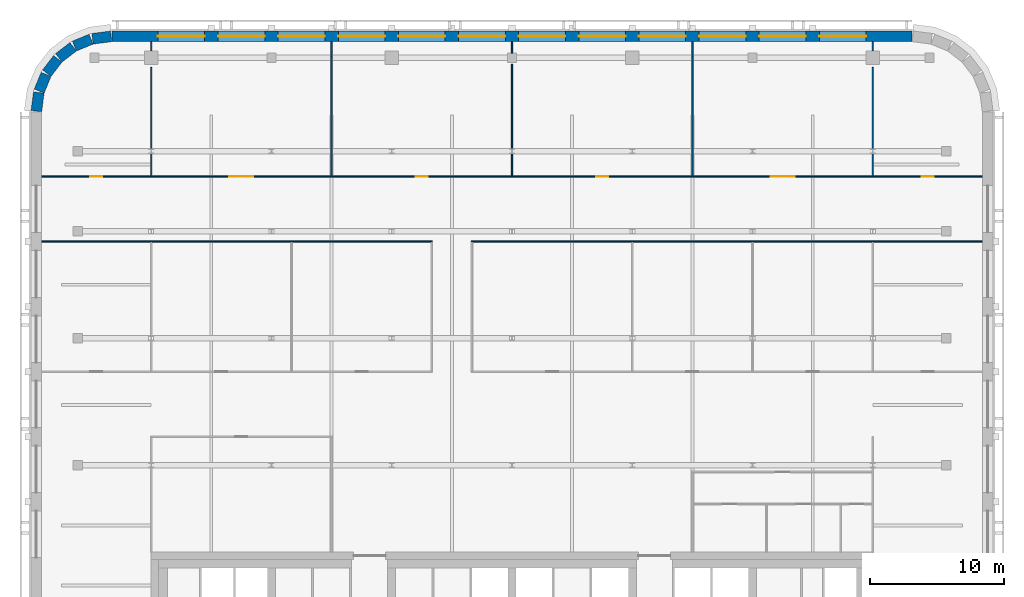
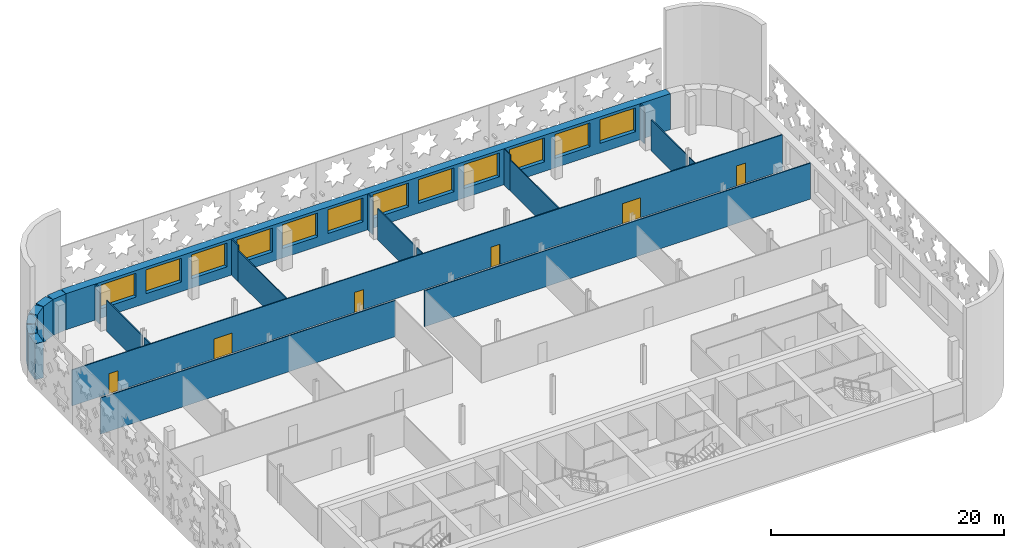
# One storey, part 9 of 16: 23 walls, 12 windows, 6 doors, 18 openings.
"""IFC4 building model written with IfcOpenShell, lengths in metres."""

from ifc_helpers import new_model, si_unit, direction, frame, frame_2d, origin, place, context, subcontext, project, spatial, rectangle, extrude, material, layer, layer_set, type_object, element, fill, save


model = new_model("IFC4")

# Units and contexts
model_context = context("Model", 3, precision=1e-05, world=origin(), true_north=direction((0.0, 1.0)))
body_context = subcontext(model_context, "Body", "Model", "MODEL_VIEW")
ifc_project = project(units=[si_unit("LENGTHUNIT", "METRE"), si_unit("AREAUNIT", "SQUARE_METRE"), si_unit("VOLUMEUNIT", "CUBIC_METRE"), si_unit("PLANEANGLEUNIT", "RADIAN"), si_unit("MASSUNIT", "GRAM", prefix="KILO")], contexts=[model_context])

# Site, building, storey
site_placement = place(None, origin())
site = spatial("IfcSite", under=ifc_project, at=site_placement, CompositionType="ELEMENT")
building_placement = place(site_placement, origin())
building = spatial("IfcBuilding", under=site, at=building_placement, Name="Zellij Exchange Tower", CompositionType="ELEMENT")
storey_placement = place(building_placement, frame((0.0, 0.0, 272.5)))
storey = spatial("IfcBuildingStorey", under=building, at=storey_placement, Name="L64", CompositionType="ELEMENT", Elevation=272.5)

# Wall, openings, windows
ifc_material_1 = material(Name="Precast concrete C40/50", Category="concrete")
ifc_layer_1 = layer(ifc_material_1, 0.800048828125)
ifc_layer_set_1 = layer_set([ifc_layer_1], Name="Precast concrete C40/50")
wall_type_1 = type_object("IfcWallType", Name="ENV-EW1 Precast stone-piered wall 800", PredefinedType="SOLIDWALL", material=ifc_layer_set_1)
wall_1_placement = place(storey_placement, frame((29.947509765625, 36.60009765625, 0.0), z_axis=(0.0, 0.0, 1.0), x_axis=(-1.0, 0.0, 0.0)))
wall_1 = element("IfcWall", 1, at=wall_1_placement, inside=storey, type_object=wall_type_1, Name="fac.L64.14", PredefinedType="SOLIDWALL", context=body_context, shape_type="SweptSolid", body=[
    extrude(rectangle(XDim=59.89501953125, YDim=0.800048828125, at=frame_2d((29.947509765625, 0.0))), origin(), (0.0, 0.0, 1.0), 3.780029296875),
])
opening_1_placement = place(wall_1_placement, frame((3.447509765625, 0.0, 1.0)))
opening_1 = element("IfcOpeningElement", 2, at=opening_1_placement, cuts=wall_1, Name="Opening FC1.07", PredefinedType="OPENING", context=body_context, shape_type="SweptSolid", body=[
    extrude(rectangle(XDim=3.5, YDim=2.5, at=frame_2d((1.75, 1.25))), frame((0.0, 0.412109375, 0.0), z_axis=(0.0, -1.0, 0.0), x_axis=(1.0, 0.0, 0.0)), (0.0, 0.0, 1.0), 0.823974609375),
])
opening_2_placement = place(wall_1_placement, frame((7.947509765625, 0.0, 1.0)))
opening_2 = element("IfcOpeningElement", 3, at=opening_2_placement, cuts=wall_1, Name="Opening FC1.08", PredefinedType="OPENING", context=body_context, shape_type="SweptSolid", body=[
    extrude(rectangle(XDim=3.5, YDim=2.5, at=frame_2d((1.75, 1.25))), frame((0.0, 0.412109375, 0.0), z_axis=(0.0, -1.0, 0.0), x_axis=(1.0, 0.0, 0.0)), (0.0, 0.0, 1.0), 0.823974609375),
])
opening_3_placement = place(wall_1_placement, frame((12.447509765625, 0.0, 1.0)))
opening_3 = element("IfcOpeningElement", 4, at=opening_3_placement, cuts=wall_1, Name="Opening FC1.09", PredefinedType="OPENING", context=body_context, shape_type="SweptSolid", body=[
    extrude(rectangle(XDim=3.5, YDim=2.5, at=frame_2d((1.75, 1.25))), frame((0.0, 0.412109375, 0.0), z_axis=(0.0, -1.0, 0.0), x_axis=(1.0, 0.0, 0.0)), (0.0, 0.0, 1.0), 0.823974609375),
])
opening_4_placement = place(wall_1_placement, frame((16.947509765625, 0.0, 1.0)))
opening_4 = element("IfcOpeningElement", 5, at=opening_4_placement, cuts=wall_1, Name="Opening FC1.10", PredefinedType="OPENING", context=body_context, shape_type="SweptSolid", body=[
    extrude(rectangle(XDim=3.5, YDim=2.5, at=frame_2d((1.75, 1.25))), frame((0.0, 0.412109375, 0.0), z_axis=(0.0, -1.0, 0.0), x_axis=(1.0, 0.0, 0.0)), (0.0, 0.0, 1.0), 0.823974609375),
])
opening_5_placement = place(wall_1_placement, frame((21.447509765625, 0.0, 1.0)))
opening_5 = element("IfcOpeningElement", 6, at=opening_5_placement, cuts=wall_1, Name="Opening FC1.11", PredefinedType="OPENING", context=body_context, shape_type="SweptSolid", body=[
    extrude(rectangle(XDim=3.5, YDim=2.5, at=frame_2d((1.75, 1.25))), frame((0.0, 0.412109375, 0.0), z_axis=(0.0, -1.0, 0.0), x_axis=(1.0, 0.0, 0.0)), (0.0, 0.0, 1.0), 0.823974609375),
])
opening_6_placement = place(wall_1_placement, frame((25.947509765625, 0.0, 1.0)))
opening_6 = element("IfcOpeningElement", 7, at=opening_6_placement, cuts=wall_1, Name="Opening FC1.12", PredefinedType="OPENING", context=body_context, shape_type="SweptSolid", body=[
    extrude(rectangle(XDim=3.5, YDim=2.5, at=frame_2d((1.75, 1.25))), frame((0.0, 0.412109375, 0.0), z_axis=(0.0, -1.0, 0.0), x_axis=(1.0, 0.0, 0.0)), (0.0, 0.0, 1.0), 0.823974609375),
])
opening_7_placement = place(wall_1_placement, frame((30.447509765625, 0.0, 1.0)))
opening_7 = element("IfcOpeningElement", 8, at=opening_7_placement, cuts=wall_1, Name="Opening FC1.13", PredefinedType="OPENING", context=body_context, shape_type="SweptSolid", body=[
    extrude(rectangle(XDim=3.5, YDim=2.5, at=frame_2d((1.75, 1.25))), frame((0.0, 0.412109375, 0.0), z_axis=(0.0, -1.0, 0.0), x_axis=(1.0, 0.0, 0.0)), (0.0, 0.0, 1.0), 0.823974609375),
])
opening_8_placement = place(wall_1_placement, frame((34.947509765625, 0.0, 1.0)))
opening_8 = element("IfcOpeningElement", 9, at=opening_8_placement, cuts=wall_1, Name="Opening FC1.14", PredefinedType="OPENING", context=body_context, shape_type="SweptSolid", body=[
    extrude(rectangle(XDim=3.5, YDim=2.5, at=frame_2d((1.75, 1.25))), frame((0.0, 0.412109375, 0.0), z_axis=(0.0, -1.0, 0.0), x_axis=(1.0, 0.0, 0.0)), (0.0, 0.0, 1.0), 0.823974609375),
])
opening_9_placement = place(wall_1_placement, frame((39.447509765625, 0.0, 1.0)))
opening_9 = element("IfcOpeningElement", 10, at=opening_9_placement, cuts=wall_1, Name="Opening FC1.15", PredefinedType="OPENING", context=body_context, shape_type="SweptSolid", body=[
    extrude(rectangle(XDim=3.5, YDim=2.5, at=frame_2d((1.75, 1.25))), frame((0.0, 0.412109375, 0.0), z_axis=(0.0, -1.0, 0.0), x_axis=(1.0, 0.0, 0.0)), (0.0, 0.0, 1.0), 0.823974609375),
])
opening_10_placement = place(wall_1_placement, frame((43.947509765625, 0.0, 1.0)))
opening_10 = element("IfcOpeningElement", 11, at=opening_10_placement, cuts=wall_1, Name="Opening FC1.16", PredefinedType="OPENING", context=body_context, shape_type="SweptSolid", body=[
    extrude(rectangle(XDim=3.5, YDim=2.5, at=frame_2d((1.75, 1.25))), frame((0.0, 0.412109375, 0.0), z_axis=(0.0, -1.0, 0.0), x_axis=(1.0, 0.0, 0.0)), (0.0, 0.0, 1.0), 0.823974609375),
])
opening_11_placement = place(wall_1_placement, frame((48.447509765625, 0.0, 1.0)))
opening_11 = element("IfcOpeningElement", 12, at=opening_11_placement, cuts=wall_1, Name="Opening FC1.17", PredefinedType="OPENING", context=body_context, shape_type="SweptSolid", body=[
    extrude(rectangle(XDim=3.5, YDim=2.5, at=frame_2d((1.75, 1.25))), frame((0.0, 0.412109375, 0.0), z_axis=(0.0, -1.0, 0.0), x_axis=(1.0, 0.0, 0.0)), (0.0, 0.0, 1.0), 0.823974609375),
])
opening_12_placement = place(wall_1_placement, frame((52.947509765625, 0.0, 1.0)))
opening_12 = element("IfcOpeningElement", 13, at=opening_12_placement, cuts=wall_1, Name="Opening FC1.18", PredefinedType="OPENING", context=body_context, shape_type="SweptSolid", body=[
    extrude(rectangle(XDim=3.5, YDim=2.5, at=frame_2d((1.75, 1.25))), frame((0.0, 0.412109375, 0.0), z_axis=(0.0, -1.0, 0.0), x_axis=(1.0, 0.0, 0.0)), (0.0, 0.0, 1.0), 0.823974609375),
])
ifc_material_2 = material(Name="Aluminium frame with insulating glass", Category="aluminium")
window_type = type_object("IfcWindowType", Name="ENV-W1 Window 3500x2500", PartitioningType="SINGLE_PANEL", PredefinedType="WINDOW", material=ifc_material_2)
window_1_placement = place(opening_1_placement, origin())
window_1 = element("IfcWindow", 14, at=window_1_placement, inside=storey, type_object=window_type, Name="Window FC1.07", OverallHeight=2.5, OverallWidth=3.5, PartitioningType="SINGLE_PANEL", PredefinedType="WINDOW", context=body_context, shape_type="SweptSolid", body=[
    extrude(rectangle(XDim=3.5, YDim=2.5, at=frame_2d((1.75, 1.25))), frame((0.0, 0.030029296875, 0.0), z_axis=(0.0, -1.0, 0.0), x_axis=(1.0, 0.0, 0.0)), (0.0, 0.0, 1.0), 0.06005859375),
])
fill(opening_1, window_1)
window_2_placement = place(opening_2_placement, origin())
window_2 = element("IfcWindow", 15, at=window_2_placement, inside=storey, type_object=window_type, Name="Window FC1.08", OverallHeight=2.5, OverallWidth=3.5, PartitioningType="SINGLE_PANEL", PredefinedType="WINDOW", context=body_context, shape_type="SweptSolid", body=[
    extrude(rectangle(XDim=3.5, YDim=2.5, at=frame_2d((1.75, 1.25))), frame((0.0, 0.030029296875, 0.0), z_axis=(0.0, -1.0, 0.0), x_axis=(1.0, 0.0, 0.0)), (0.0, 0.0, 1.0), 0.06005859375),
])
fill(opening_2, window_2)
window_3_placement = place(opening_3_placement, origin())
window_3 = element("IfcWindow", 16, at=window_3_placement, inside=storey, type_object=window_type, Name="Window FC1.09", OverallHeight=2.5, OverallWidth=3.5, PartitioningType="SINGLE_PANEL", PredefinedType="WINDOW", context=body_context, shape_type="SweptSolid", body=[
    extrude(rectangle(XDim=3.5, YDim=2.5, at=frame_2d((1.75, 1.25))), frame((0.0, 0.030029296875, 0.0), z_axis=(0.0, -1.0, 0.0), x_axis=(1.0, 0.0, 0.0)), (0.0, 0.0, 1.0), 0.06005859375),
])
fill(opening_3, window_3)
window_4_placement = place(opening_4_placement, origin())
window_4 = element("IfcWindow", 17, at=window_4_placement, inside=storey, type_object=window_type, Name="Window FC1.10", OverallHeight=2.5, OverallWidth=3.5, PartitioningType="SINGLE_PANEL", PredefinedType="WINDOW", context=body_context, shape_type="SweptSolid", body=[
    extrude(rectangle(XDim=3.5, YDim=2.5, at=frame_2d((1.75, 1.25))), frame((0.0, 0.030029296875, 0.0), z_axis=(0.0, -1.0, 0.0), x_axis=(1.0, 0.0, 0.0)), (0.0, 0.0, 1.0), 0.06005859375),
])
fill(opening_4, window_4)
window_5_placement = place(opening_5_placement, origin())
window_5 = element("IfcWindow", 18, at=window_5_placement, inside=storey, type_object=window_type, Name="Window FC1.11", OverallHeight=2.5, OverallWidth=3.5, PartitioningType="SINGLE_PANEL", PredefinedType="WINDOW", context=body_context, shape_type="SweptSolid", body=[
    extrude(rectangle(XDim=3.5, YDim=2.5, at=frame_2d((1.75, 1.25))), frame((0.0, 0.030029296875, 0.0), z_axis=(0.0, -1.0, 0.0), x_axis=(1.0, 0.0, 0.0)), (0.0, 0.0, 1.0), 0.06005859375),
])
fill(opening_5, window_5)
window_6_placement = place(opening_6_placement, origin())
window_6 = element("IfcWindow", 19, at=window_6_placement, inside=storey, type_object=window_type, Name="Window FC1.12", OverallHeight=2.5, OverallWidth=3.5, PartitioningType="SINGLE_PANEL", PredefinedType="WINDOW", context=body_context, shape_type="SweptSolid", body=[
    extrude(rectangle(XDim=3.5, YDim=2.5, at=frame_2d((1.75, 1.25))), frame((0.0, 0.030029296875, 0.0), z_axis=(0.0, -1.0, 0.0), x_axis=(1.0, 0.0, 0.0)), (0.0, 0.0, 1.0), 0.06005859375),
])
fill(opening_6, window_6)
window_7_placement = place(opening_7_placement, origin())
window_7 = element("IfcWindow", 20, at=window_7_placement, inside=storey, type_object=window_type, Name="Window FC1.13", OverallHeight=2.5, OverallWidth=3.5, PartitioningType="SINGLE_PANEL", PredefinedType="WINDOW", context=body_context, shape_type="SweptSolid", body=[
    extrude(rectangle(XDim=3.5, YDim=2.5, at=frame_2d((1.75, 1.25))), frame((0.0, 0.030029296875, 0.0), z_axis=(0.0, -1.0, 0.0), x_axis=(1.0, 0.0, 0.0)), (0.0, 0.0, 1.0), 0.06005859375),
])
fill(opening_7, window_7)
window_8_placement = place(opening_8_placement, origin())
window_8 = element("IfcWindow", 21, at=window_8_placement, inside=storey, type_object=window_type, Name="Window FC1.14", OverallHeight=2.5, OverallWidth=3.5, PartitioningType="SINGLE_PANEL", PredefinedType="WINDOW", context=body_context, shape_type="SweptSolid", body=[
    extrude(rectangle(XDim=3.5, YDim=2.5, at=frame_2d((1.75, 1.25))), frame((0.0, 0.030029296875, 0.0), z_axis=(0.0, -1.0, 0.0), x_axis=(1.0, 0.0, 0.0)), (0.0, 0.0, 1.0), 0.06005859375),
])
fill(opening_8, window_8)
window_9_placement = place(opening_9_placement, origin())
window_9 = element("IfcWindow", 22, at=window_9_placement, inside=storey, type_object=window_type, Name="Window FC1.15", OverallHeight=2.5, OverallWidth=3.5, PartitioningType="SINGLE_PANEL", PredefinedType="WINDOW", context=body_context, shape_type="SweptSolid", body=[
    extrude(rectangle(XDim=3.5, YDim=2.5, at=frame_2d((1.75, 1.25))), frame((0.0, 0.030029296875, 0.0), z_axis=(0.0, -1.0, 0.0), x_axis=(1.0, 0.0, 0.0)), (0.0, 0.0, 1.0), 0.06005859375),
])
fill(opening_9, window_9)
window_10_placement = place(opening_10_placement, origin())
window_10 = element("IfcWindow", 23, at=window_10_placement, inside=storey, type_object=window_type, Name="Window FC1.16", OverallHeight=2.5, OverallWidth=3.5, PartitioningType="SINGLE_PANEL", PredefinedType="WINDOW", context=body_context, shape_type="SweptSolid", body=[
    extrude(rectangle(XDim=3.5, YDim=2.5, at=frame_2d((1.75, 1.25))), frame((0.0, 0.030029296875, 0.0), z_axis=(0.0, -1.0, 0.0), x_axis=(1.0, 0.0, 0.0)), (0.0, 0.0, 1.0), 0.06005859375),
])
fill(opening_10, window_10)
window_11_placement = place(opening_11_placement, origin())
window_11 = element("IfcWindow", 24, at=window_11_placement, inside=storey, type_object=window_type, Name="Window FC1.17", OverallHeight=2.5, OverallWidth=3.5, PartitioningType="SINGLE_PANEL", PredefinedType="WINDOW", context=body_context, shape_type="SweptSolid", body=[
    extrude(rectangle(XDim=3.5, YDim=2.5, at=frame_2d((1.75, 1.25))), frame((0.0, 0.030029296875, 0.0), z_axis=(0.0, -1.0, 0.0), x_axis=(1.0, 0.0, 0.0)), (0.0, 0.0, 1.0), 0.06005859375),
])
fill(opening_11, window_11)
window_12_placement = place(opening_12_placement, origin())
window_12 = element("IfcWindow", 25, at=window_12_placement, inside=storey, type_object=window_type, Name="Window FC1.18", OverallHeight=2.5, OverallWidth=3.5, PartitioningType="SINGLE_PANEL", PredefinedType="WINDOW", context=body_context, shape_type="SweptSolid", body=[
    extrude(rectangle(XDim=3.5, YDim=2.5, at=frame_2d((1.75, 1.25))), frame((0.0, 0.030029296875, 0.0), z_axis=(0.0, -1.0, 0.0), x_axis=(1.0, 0.0, 0.0)), (0.0, 0.0, 1.0), 0.06005859375),
])
fill(opening_12, window_12)

# Walls
wall_2_placement = place(storey_placement, frame((-29.999755859375, 36.5966796875, 0.0), z_axis=(0.0, 0.0, 1.0), x_axis=(-0.99144603414, -0.130517283865, 0.0)))
element("IfcWall", 26, at=wall_2_placement, inside=storey, type_object=wall_type_1, Name="fac.L64.15", PredefinedType="SOLIDWALL", context=body_context, shape_type="SweptSolid", body=[
    extrude(rectangle(XDim=1.408447265625, YDim=0.800048828125, at=frame_2d((0.7041015625, 0.0))), origin(), (0.0, 0.0, 1.0), 3.780029296875),
])
wall_3_placement = place(storey_placement, frame((-31.497314453125, 36.3857421875, 0.0), z_axis=(0.0, 0.0, 1.0), x_axis=(-0.923847774587, -0.38276009378, 0.0)))
element("IfcWall", 27, at=wall_3_placement, inside=storey, type_object=wall_type_1, Name="fac.L64.16", PredefinedType="SOLIDWALL", context=body_context, shape_type="SweptSolid", body=[
    extrude(rectangle(XDim=1.35546875, YDim=0.800048828125, at=frame_2d((0.677734375, 0.0))), origin(), (0.0, 0.0, 1.0), 3.780029296875),
])
for number, where, z_axis, x_axis, name in (
    (28, (-32.840087890625, 35.814697265625, 0.0), (0.0, 0.0, 1.0), (-0.793272915452, -0.608866226366, 0.0), "fac.L64.17"),
    (29, (-33.9892578125, 34.91552734375, 0.0), (0.0, 0.0, 1.0), (-0.608866226366, -0.793272915452, 0.0), "fac.L64.18"),
):
    element("IfcWall", number, at=place(storey_placement, frame(where, z_axis=z_axis, x_axis=x_axis)), inside=storey, type_object=wall_type_1, Name=name, PredefinedType="SOLIDWALL", context=body_context, shape_type="SweptSolid", body=[
        extrude(rectangle(XDim=1.355712890625, YDim=0.800048828125, at=frame_2d((0.677734375, 0.0))), origin(), (0.0, 0.0, 1.0), 3.780029296875),
    ])
wall_4_placement = place(storey_placement, frame((-34.866943359375, 33.74951171875, 0.0), z_axis=(0.0, 0.0, 1.0), x_axis=(-0.38276009378, -0.923847774587, 0.0)))
element("IfcWall", 30, at=wall_4_placement, inside=storey, type_object=wall_type_1, Name="fac.L64.19", PredefinedType="SOLIDWALL", context=body_context, shape_type="SweptSolid", body=[
    extrude(rectangle(XDim=1.35546875, YDim=0.800048828125, at=frame_2d((0.677734375, 0.0))), origin(), (0.0, 0.0, 1.0), 3.780029296875),
])
wall_5_placement = place(storey_placement, frame((-35.412841796875, 32.396240234375, 0.0), z_axis=(0.0, 0.0, 1.0), x_axis=(-0.130517283865, -0.99144603414, 0.0)))
element("IfcWall", 31, at=wall_5_placement, inside=storey, type_object=wall_type_1, Name="fac.L64.20", PredefinedType="SOLIDWALL", context=body_context, shape_type="SweptSolid", body=[
    extrude(rectangle(XDim=1.408447265625, YDim=0.800048828125, at=frame_2d((0.7041015625, 0.0))), origin(), (0.0, 0.0, 1.0), 3.780029296875),
])
ifc_material_3 = material(Name="Gypsum board partition on steel studs", Category="steel")
ifc_layer_2 = layer(ifc_material_3, 0.10009765625)
ifc_layer_set_2 = layer_set([ifc_layer_2], Name="Gypsum board partition on steel studs")
wall_type_2 = type_object("IfcWallType", Name="FIT-PARTITION-100", PredefinedType="PARTITIONING", material=ifc_layer_set_2)
wall_6_placement = place(storey_placement, frame((-35.199951171875, 21.239990234375, 0.0), z_axis=(0.0, 0.0, 1.0), x_axis=(1.0, 0.0, 0.0)))
element("IfcWall", 32, at=wall_6_placement, inside=storey, type_object=wall_type_2, Name="FIT-PARTITION-100 025", PredefinedType="PARTITIONING", context=body_context, shape_type="SweptSolid", body=[
    extrude(rectangle(XDim=29.25, YDim=0.10009765625, at=frame_2d((14.625, 0.0))), origin(), (0.0, 0.0, 1.0), 3.780029296875),
])
wall_7_placement = place(storey_placement, frame((-3.050048828125, 21.239990234375, 0.0), z_axis=(0.0, 0.0, 1.0), x_axis=(1.0, 0.0, 0.0)))
element("IfcWall", 33, at=wall_7_placement, inside=storey, type_object=wall_type_2, Name="FIT-PARTITION-100 026", PredefinedType="PARTITIONING", context=body_context, shape_type="SweptSolid", body=[
    extrude(rectangle(XDim=38.25, YDim=0.10009765625, at=frame_2d((19.125, 0.0))), origin(), (0.0, 0.0, 1.0), 3.780029296875),
])

# Wall, openings, doors
wall_8_placement = place(storey_placement, frame((-35.199951171875, 26.110107421875, 0.0), z_axis=(0.0, 0.0, 1.0), x_axis=(1.0, 0.0, 0.0)))
wall_8 = element("IfcWall", 34, at=wall_8_placement, inside=storey, type_object=wall_type_2, Name="FIT-PARTITION-100 027", PredefinedType="PARTITIONING", context=body_context, shape_type="SweptSolid", body=[
    extrude(rectangle(XDim=70.39990234375, YDim=0.10009765625, at=frame_2d((35.199951171875, 0.0))), origin(), (0.0, 0.0, 1.0), 3.780029296875),
])
opening_13_placement = place(wall_8_placement, frame((3.64990234375, 0.0, 0.0)))
opening_13 = element("IfcOpeningElement", 35, at=opening_13_placement, cuts=wall_8, Name="Opening EX1.13", PredefinedType="OPENING", context=body_context, shape_type="SweptSolid", body=[
    extrude(rectangle(XDim=0.89990234375, YDim=2.10009765625, at=frame_2d((0.449951171875, 1.050048828125))), frame((0.0, 0.06201171875, 0.0), z_axis=(0.0, -1.0, 0.0), x_axis=(1.0, 0.0, 0.0)), (0.0, 0.0, 1.0), 0.1240234375),
])
opening_14_placement = place(wall_8_placement, frame((14.050048828125, 0.0, 0.0)))
opening_14 = element("IfcOpeningElement", 36, at=opening_14_placement, cuts=wall_8, Name="Opening EX1.14", PredefinedType="OPENING", context=body_context, shape_type="SweptSolid", body=[
    extrude(rectangle(XDim=1.800048828125, YDim=2.10009765625, at=frame_2d((0.89990234375, 1.050048828125))), frame((0.0, 0.06201171875, 0.0), z_axis=(0.0, -1.0, 0.0), x_axis=(1.0, 0.0, 0.0)), (0.0, 0.0, 1.0), 0.1240234375),
])
opening_15_placement = place(wall_8_placement, frame((28.0, 0.0, 0.0)))
opening_15 = element("IfcOpeningElement", 37, at=opening_15_placement, cuts=wall_8, Name="Opening EX1.15", PredefinedType="OPENING", context=body_context, shape_type="SweptSolid", body=[
    extrude(rectangle(XDim=0.89990234375, YDim=2.10009765625, at=frame_2d((0.449951171875, 1.050048828125))), frame((0.0, 0.06201171875, 0.0), z_axis=(0.0, -1.0, 0.0), x_axis=(1.0, 0.0, 0.0)), (0.0, 0.0, 1.0), 0.1240234375),
])
opening_16_placement = place(wall_8_placement, frame((41.5, 0.0, 0.0)))
opening_16 = element("IfcOpeningElement", 38, at=opening_16_placement, cuts=wall_8, Name="Opening EX1.16", PredefinedType="OPENING", context=body_context, shape_type="SweptSolid", body=[
    extrude(rectangle(XDim=0.89990234375, YDim=2.10009765625, at=frame_2d((0.449951171875, 1.050048828125))), frame((0.0, 0.06201171875, 0.0), z_axis=(0.0, -1.0, 0.0), x_axis=(1.0, 0.0, 0.0)), (0.0, 0.0, 1.0), 0.1240234375),
])
opening_17_placement = place(wall_8_placement, frame((54.550048828125, 0.0, 0.0)))
opening_17 = element("IfcOpeningElement", 39, at=opening_17_placement, cuts=wall_8, Name="Opening EX1.17", PredefinedType="OPENING", context=body_context, shape_type="SweptSolid", body=[
    extrude(rectangle(XDim=1.800048828125, YDim=2.10009765625, at=frame_2d((0.89990234375, 1.050048828125))), frame((0.0, 0.06201171875, 0.0), z_axis=(0.0, -1.0, 0.0), x_axis=(1.0, 0.0, 0.0)), (0.0, 0.0, 1.0), 0.1240234375),
])
opening_18_placement = place(wall_8_placement, frame((65.85009765625, 0.0, 0.0)))
opening_18 = element("IfcOpeningElement", 40, at=opening_18_placement, cuts=wall_8, Name="Opening EX1.18", PredefinedType="OPENING", context=body_context, shape_type="SweptSolid", body=[
    extrude(rectangle(XDim=0.89990234375, YDim=2.10009765625, at=frame_2d((0.449951171875, 1.050048828125))), frame((0.0, 0.06201171875, 0.0), z_axis=(0.0, -1.0, 0.0), x_axis=(1.0, 0.0, 0.0)), (0.0, 0.0, 1.0), 0.1240234375),
])
ifc_material_4 = material(Name="Timber door set", Category="wood")
door_type_1 = type_object("IfcDoorType", Name="FIT-D1-ROOM-900X2100", OperationType="SINGLE_SWING_LEFT", PredefinedType="DOOR", material=ifc_material_4)
door_1_placement = place(opening_13_placement, origin())
door_1 = element("IfcDoor", 41, at=door_1_placement, inside=storey, type_object=door_type_1, Name="Door EX1.13", OperationType="SINGLE_SWING_LEFT", OverallHeight=2.10009765625, OverallWidth=0.89990234375, PredefinedType="DOOR", context=body_context, shape_type="SweptSolid", body=[
    extrude(rectangle(XDim=0.89990234375, YDim=2.10009765625, at=frame_2d((0.449951171875, 1.050048828125))), frame((0.0, 0.02490234375, 0.0), z_axis=(0.0, -1.0, 0.0), x_axis=(1.0, 0.0, 0.0)), (0.0, 0.0, 1.0), 0.050048828125),
])
fill(opening_13, door_1)
door_2_placement = place(opening_15_placement, origin())
door_2 = element("IfcDoor", 42, at=door_2_placement, inside=storey, type_object=door_type_1, Name="Door EX1.15", OperationType="SINGLE_SWING_LEFT", OverallHeight=2.10009765625, OverallWidth=0.89990234375, PredefinedType="DOOR", context=body_context, shape_type="SweptSolid", body=[
    extrude(rectangle(XDim=0.89990234375, YDim=2.10009765625, at=frame_2d((0.449951171875, 1.050048828125))), frame((0.0, 0.02490234375, 0.0), z_axis=(0.0, -1.0, 0.0), x_axis=(1.0, 0.0, 0.0)), (0.0, 0.0, 1.0), 0.050048828125),
])
fill(opening_15, door_2)
door_3_placement = place(opening_16_placement, origin())
door_3 = element("IfcDoor", 43, at=door_3_placement, inside=storey, type_object=door_type_1, Name="Door EX1.16", OperationType="SINGLE_SWING_LEFT", OverallHeight=2.10009765625, OverallWidth=0.89990234375, PredefinedType="DOOR", context=body_context, shape_type="SweptSolid", body=[
    extrude(rectangle(XDim=0.89990234375, YDim=2.10009765625, at=frame_2d((0.449951171875, 1.050048828125))), frame((0.0, 0.02490234375, 0.0), z_axis=(0.0, -1.0, 0.0), x_axis=(1.0, 0.0, 0.0)), (0.0, 0.0, 1.0), 0.050048828125),
])
fill(opening_16, door_3)
door_4_placement = place(opening_18_placement, origin())
door_4 = element("IfcDoor", 44, at=door_4_placement, inside=storey, type_object=door_type_1, Name="Door EX1.18", OperationType="SINGLE_SWING_LEFT", OverallHeight=2.10009765625, OverallWidth=0.89990234375, PredefinedType="DOOR", context=body_context, shape_type="SweptSolid", body=[
    extrude(rectangle(XDim=0.89990234375, YDim=2.10009765625, at=frame_2d((0.449951171875, 1.050048828125))), frame((0.0, 0.02490234375, 0.0), z_axis=(0.0, -1.0, 0.0), x_axis=(1.0, 0.0, 0.0)), (0.0, 0.0, 1.0), 0.050048828125),
])
fill(opening_18, door_4)
door_type_2 = type_object("IfcDoorType", Name="FIT-D3-DOUBLE-1800X2100", OperationType="DOUBLE_DOOR_SINGLE_SWING", PredefinedType="DOOR", material=ifc_material_4)
door_5_placement = place(opening_14_placement, origin())
door_5 = element("IfcDoor", 45, at=door_5_placement, inside=storey, type_object=door_type_2, Name="Door EX1.14", OperationType="DOUBLE_DOOR_SINGLE_SWING", OverallHeight=2.10009765625, OverallWidth=1.800048828125, PredefinedType="DOOR", context=body_context, shape_type="SweptSolid", body=[
    extrude(rectangle(XDim=1.800048828125, YDim=2.10009765625, at=frame_2d((0.89990234375, 1.050048828125))), frame((0.0, 0.02490234375, 0.0), z_axis=(0.0, -1.0, 0.0), x_axis=(1.0, 0.0, 0.0)), (0.0, 0.0, 1.0), 0.050048828125),
])
fill(opening_14, door_5)
door_6_placement = place(opening_17_placement, origin())
door_6 = element("IfcDoor", 46, at=door_6_placement, inside=storey, type_object=door_type_2, Name="Door EX1.17", OperationType="DOUBLE_DOOR_SINGLE_SWING", OverallHeight=2.10009765625, OverallWidth=1.800048828125, PredefinedType="DOOR", context=body_context, shape_type="SweptSolid", body=[
    extrude(rectangle(XDim=1.800048828125, YDim=2.10009765625, at=frame_2d((0.89990234375, 1.050048828125))), frame((0.0, 0.02490234375, 0.0), z_axis=(0.0, -1.0, 0.0), x_axis=(1.0, 0.0, 0.0)), (0.0, 0.0, 1.0), 0.050048828125),
])
fill(opening_17, door_6)

# Walls
wall_9_placement = place(storey_placement, frame((-27.0, 26.159912109375, 0.0), z_axis=(0.0, 0.0, 1.0), x_axis=(0.0, 1.0, 0.0)))
element("IfcWall", 47, at=wall_9_placement, inside=storey, type_object=wall_type_2, Name="FIT-PARTITION-100 028", PredefinedType="PARTITIONING", context=body_context, shape_type="SweptSolid", body=[
    extrude(rectangle(XDim=1.6533203125, YDim=0.10009765625, at=frame_2d((0.82666015625, 0.0))), origin(), (0.0, 0.0, 1.0), 3.24658203125),
])
wall_10_placement = place(storey_placement, frame((-27.0, 28.186767578125, 0.0), z_axis=(0.0, 0.0, 1.0), x_axis=(0.0, 1.0, 0.0)))
element("IfcWall", 48, at=wall_10_placement, inside=storey, type_object=wall_type_2, Name="FIT-PARTITION-100 029", PredefinedType="PARTITIONING", context=body_context, shape_type="SweptSolid", body=[
    extrude(rectangle(XDim=6.09326171875, YDim=0.10009765625, at=frame_2d((3.046630859375, 0.0))), origin(), (0.0, 0.0, 1.0), 3.24658203125),
])
wall_11_placement = place(storey_placement, frame((-13.5, 26.159912109375, 0.0), z_axis=(0.0, 0.0, 1.0), x_axis=(0.0, 1.0, 0.0)))
element("IfcWall", 49, at=wall_11_placement, inside=storey, type_object=wall_type_2, Name="FIT-PARTITION-100 030", PredefinedType="PARTITIONING", context=body_context, shape_type="SweptSolid", body=[
    extrude(rectangle(XDim=8.944580078125, YDim=0.10009765625, at=frame_2d((4.47216796875, 0.0))), origin(), (0.0, 0.0, 1.0), 3.24658203125),
])
wall_12_placement = place(storey_placement, frame((-13.5, 35.1044921875, 0.0), z_axis=(0.0, 0.0, 1.0), x_axis=(0.0, 1.0, 0.0)))
element("IfcWall", 50, at=wall_12_placement, inside=storey, type_object=wall_type_2, Name="FIT-PARTITION-100 031", PredefinedType="PARTITIONING", context=body_context, shape_type="SweptSolid", body=[
    extrude(rectangle(XDim=1.095458984375, YDim=0.10009765625, at=frame_2d((0.5478515625, 0.0))), origin(), (0.0, 0.0, 1.0), 3.780029296875),
])
wall_13_placement = place(storey_placement, frame((0.0, 26.159912109375, 0.0), z_axis=(0.0, 0.0, 1.0), x_axis=(0.0, 1.0, 0.0)))
element("IfcWall", 51, at=wall_13_placement, inside=storey, type_object=wall_type_2, Name="FIT-PARTITION-100 032", PredefinedType="PARTITIONING", context=body_context, shape_type="SweptSolid", body=[
    extrude(rectangle(XDim=1.6533203125, YDim=0.10009765625, at=frame_2d((0.82666015625, 0.0))), origin(), (0.0, 0.0, 1.0), 3.24658203125),
])
wall_14_placement = place(storey_placement, frame((0.0, 28.186767578125, 0.0), z_axis=(0.0, 0.0, 1.0), x_axis=(0.0, 1.0, 0.0)))
element("IfcWall", 52, at=wall_14_placement, inside=storey, type_object=wall_type_2, Name="FIT-PARTITION-100 033", PredefinedType="PARTITIONING", context=body_context, shape_type="SweptSolid", body=[
    extrude(rectangle(XDim=6.313232421875, YDim=0.10009765625, at=frame_2d((3.15673828125, 0.0))), origin(), (0.0, 0.0, 1.0), 3.24658203125),
])
wall_15_placement = place(storey_placement, frame((13.5, 26.159912109375, 0.0), z_axis=(0.0, 0.0, 1.0), x_axis=(0.0, 1.0, 0.0)))
element("IfcWall", 53, at=wall_15_placement, inside=storey, type_object=wall_type_2, Name="FIT-PARTITION-100 034", PredefinedType="PARTITIONING", context=body_context, shape_type="SweptSolid", body=[
    extrude(rectangle(XDim=8.944580078125, YDim=0.10009765625, at=frame_2d((4.47216796875, 0.0))), origin(), (0.0, 0.0, 1.0), 3.24658203125),
])
wall_16_placement = place(storey_placement, frame((13.5, 35.1044921875, 0.0), z_axis=(0.0, 0.0, 1.0), x_axis=(0.0, 1.0, 0.0)))
element("IfcWall", 54, at=wall_16_placement, inside=storey, type_object=wall_type_2, Name="FIT-PARTITION-100 035", PredefinedType="PARTITIONING", context=body_context, shape_type="SweptSolid", body=[
    extrude(rectangle(XDim=1.095458984375, YDim=0.10009765625, at=frame_2d((0.5478515625, 0.0))), origin(), (0.0, 0.0, 1.0), 3.780029296875),
])
wall_17_placement = place(storey_placement, frame((27.0, 26.159912109375, 0.0), z_axis=(0.0, 0.0, 1.0), x_axis=(0.0, 1.0, 0.0)))
element("IfcWall", 55, at=wall_17_placement, inside=storey, type_object=wall_type_2, Name="FIT-PARTITION-100 036", PredefinedType="PARTITIONING", context=body_context, shape_type="SweptSolid", body=[
    extrude(rectangle(XDim=1.6533203125, YDim=0.10009765625, at=frame_2d((0.82666015625, 0.0))), origin(), (0.0, 0.0, 1.0), 3.24658203125),
])
wall_18_placement = place(storey_placement, frame((27.0, 28.186767578125, 0.0), z_axis=(0.0, 0.0, 1.0), x_axis=(0.0, 1.0, 0.0)))
element("IfcWall", 56, at=wall_18_placement, inside=storey, type_object=wall_type_2, Name="FIT-PARTITION-100 037", PredefinedType="PARTITIONING", context=body_context, shape_type="SweptSolid", body=[
    extrude(rectangle(XDim=6.09326171875, YDim=0.10009765625, at=frame_2d((3.046630859375, 0.0))), origin(), (0.0, 0.0, 1.0), 3.24658203125),
])
wall_19_placement = place(storey_placement, frame((0.0, 35.35009765625, 0.0), z_axis=(0.0, 0.0, 1.0), x_axis=(0.0, 1.0, 0.0)))
element("IfcWall", 57, at=wall_19_placement, inside=storey, type_object=wall_type_2, Name="FIT-PARTITION-100 038", PredefinedType="PARTITIONING", context=body_context, shape_type="SweptSolid", body=[
    extrude(rectangle(XDim=0.849853515625, YDim=0.10009765625, at=frame_2d((0.4248046875, 0.0))), origin(), (0.0, 0.0, 1.0), 3.780029296875),
])
for number, where, z_axis, x_axis, name in (
    (58, (-27.0, 35.5, 0.0), (0.0, 0.0, 1.0), (0.0, 1.0, 0.0), "FIT-PARTITION-100 039"),
    (59, (27.0, 35.5, 0.0), (0.0, 0.0, 1.0), (0.0, 1.0, 0.0), "FIT-PARTITION-100 040"),
):
    element("IfcWall", number, at=place(storey_placement, frame(where, z_axis=z_axis, x_axis=x_axis)), inside=storey, type_object=wall_type_2, Name=name, PredefinedType="PARTITIONING", context=body_context, shape_type="SweptSolid", body=[
        extrude(rectangle(XDim=0.699951171875, YDim=0.10009765625, at=frame_2d((0.35009765625, 0.0))), origin(), (0.0, 0.0, 1.0), 3.780029296875),
    ])

save(model, "model.ifc")
